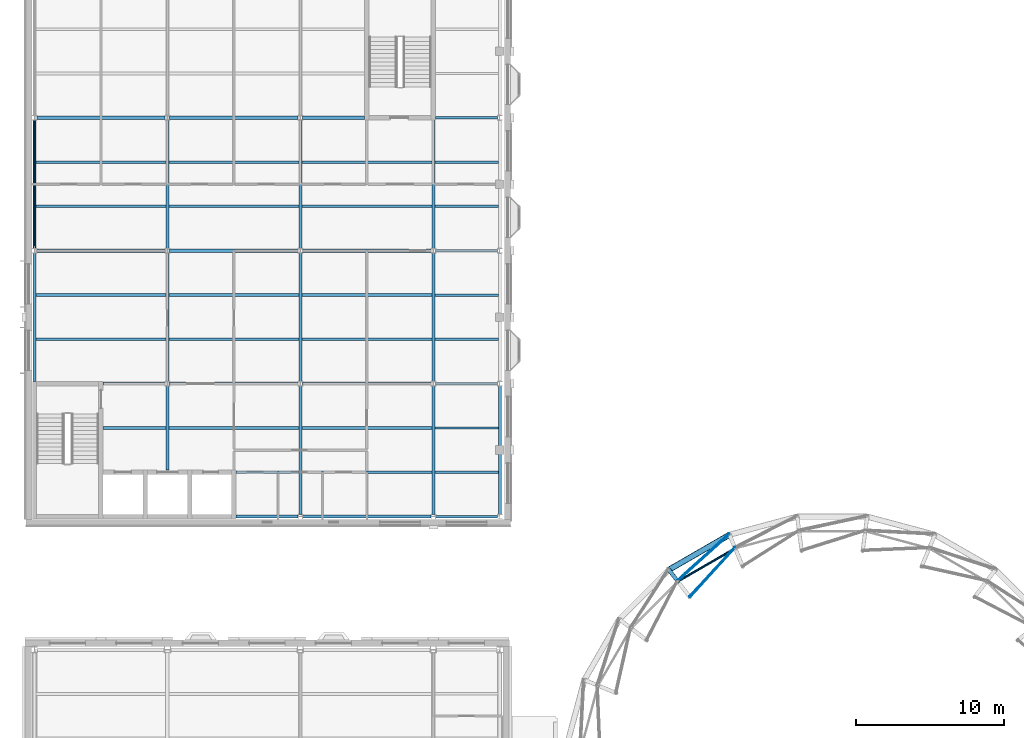
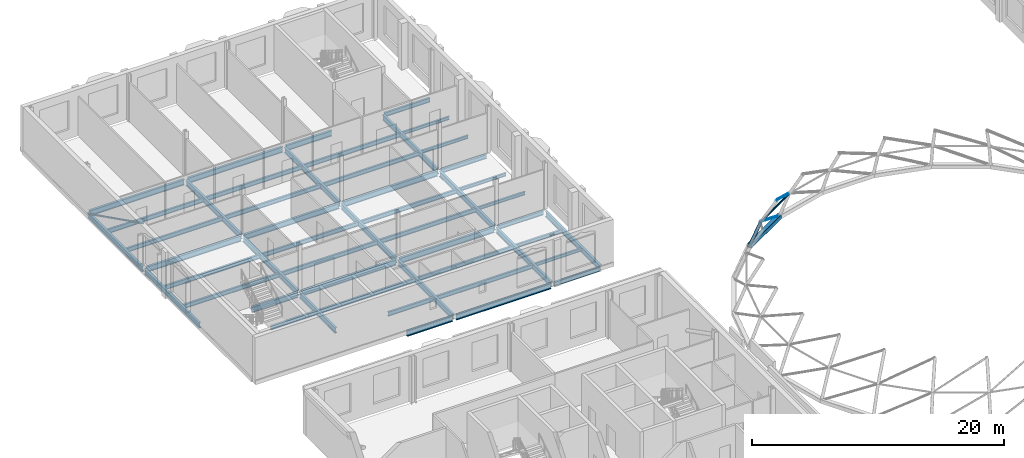
# One storey, part 9 of 59: 52 beams, 6 members.
"""IFC4 building model written with IfcOpenShell, lengths in metres."""

from ifc_helpers import new_model, si_unit, direction, frame, origin, origin_2d, place, context, subcontext, project, spatial, rectangle, hollow_rectangle, circle, hollow_circle, i_section, extrude, material, material_profile, profile_set, type_object, element, save


model = new_model("IFC4")

# Units and contexts
model_context = context("Model", 3, precision=1e-05, world=origin(), true_north=direction((0.0, 1.0)))
body_context = subcontext(model_context, "Body", "Model", "MODEL_VIEW")
ifc_project = project(units=[si_unit("LENGTHUNIT", "METRE"), si_unit("AREAUNIT", "SQUARE_METRE"), si_unit("VOLUMEUNIT", "CUBIC_METRE"), si_unit("PLANEANGLEUNIT", "RADIAN"), si_unit("MASSUNIT", "GRAM", prefix="KILO")], contexts=[model_context])

# Site, building, storey
site_placement = place(None, origin())
site = spatial("IfcSite", under=ifc_project, at=site_placement, CompositionType="ELEMENT")
building_placement = place(site_placement, origin())
building = spatial("IfcBuilding", under=site, at=building_placement, Name="Hortulan Conservatory and Botanical Research Centre", CompositionType="ELEMENT")
storey_placement = place(building_placement, frame((0.0, 0.0, 10.5)))
storey = spatial("IfcBuildingStorey", under=building, at=storey_placement, Name="L02", CompositionType="ELEMENT", Elevation=10.5)

# Members
ifc_material_1 = material(Name="Steel Grade C350L0 (350 MPa, AS/NZS 1163)", Category="steel")
ifc_material_profile_1 = material_profile(ifc_material_1, hollow_circle(Radius=0.084228515625, WallThickness=0.00634765625, at=origin_2d()), Name="168.3x6.4CHS")
ifc_profile_set_1 = profile_set([ifc_material_profile_1], Name="Steel Grade C350L0 (350 MPa, AS/NZS 1163)")
member_type_1 = type_object("IfcMemberType", Name="Brace 168.3x6.4CHS", PredefinedType="BRACE", material=ifc_profile_set_1)
member_1_placement = place(storey_placement, frame((0.0, 62.842529296875, -0.315185546875), z_axis=(0.0, -0.894427191, 0.4472135955), x_axis=(1.0, 0.0, 0.0)))
element("IfcMember", 1, at=member_1_placement, inside=storey, type_object=member_type_1, Name="168.3x6.4CHS brace", PredefinedType="BRACE", context=body_context, shape_type="SweptSolid", body=[
    extrude(hollow_circle(Radius=0.084228515625, WallThickness=0.00634765625, at=origin_2d()), origin(), (0.0, 0.0, 1.0), 9.710205078125),
])
ifc_material_2 = material(Name="Steel Grade 300PLUS (AS/NZS 3679.1, 280 MPa minimum yield)", Category="steel")
ifc_material_profile_2 = material_profile(ifc_material_2, circle(Radius=0.011962890625, at=origin_2d()), Name="24 dia rod")
ifc_profile_set_2 = profile_set([ifc_material_profile_2], Name="Steel Grade 300PLUS (AS/NZS 3679.1, 280 MPa minimum yield)")
member_type_2 = type_object("IfcMemberType", Name="Dome Diagonal Rod 24 dia rod", PredefinedType="BRACE", material=ifc_profile_set_2)
member_2_placement = place(storey_placement, frame((47.05224609375, 34.773193359375, 0.0), z_axis=(-0.650599359727, -0.586755497323, 0.482118719284), x_axis=(0.669731250742, -0.742603562999, 0.0)))
element("IfcMember", 2, at=member_2_placement, inside=storey, type_object=member_type_2, Name="Dome diagonal rod row 1 panel 08", PredefinedType="BRACE", context=body_context, shape_type="SweptSolid", body=[
    extrude(circle(Radius=0.011962890625, at=origin_2d()), origin(), (0.0, 0.0, 1.0), 5.38037109375),
])
member_3_placement = place(storey_placement, frame((47.431884765625, 33.8564453125, 2.593994140625), z_axis=(-0.596256296153, -0.648583748703, 0.47309359562), x_axis=(0.736180234782, -0.676785536131, 0.0)))
element("IfcMember", 3, at=member_3_placement, inside=storey, type_object=member_type_2, Name="Dome diagonal rod row 2 panel 08", PredefinedType="BRACE", context=body_context, shape_type="SweptSolid", body=[
    extrude(circle(Radius=0.011962890625, at=origin_2d()), origin(), (0.0, 0.0, 1.0), 5.1181640625),
])
ifc_material_3 = material(Name="Bronze-finished aluminium", Category="aluminium")
ifc_material_profile_3 = material_profile(ifc_material_3, rectangle(XDim=0.050048828125, YDim=0.050048828125, at=origin_2d()), Name="Square bar 50x50")
ifc_profile_set_3 = profile_set([ifc_material_profile_3], Name="Bronze-finished aluminium")
member_type_3 = type_object("IfcMemberType", Name="Dome Glazing Bar 50x50", PredefinedType="MEMBER", material=ifc_profile_set_3)
member_4_placement = place(storey_placement, frame((47.021484375, 34.847900390625, 0.024169921875), z_axis=(-0.650586397389, -0.586756472413, 0.482135024256), x_axis=(0.669739222965, -0.742596373019, 0.0)))
element("IfcMember", 4, at=member_4_placement, inside=storey, type_object=member_type_3, Name="Dome glazing bar row 1 panel 08", PredefinedType="MEMBER", context=body_context, shape_type="SweptSolid", body=[
    extrude(rectangle(XDim=0.050048828125, YDim=0.050048828125, at=origin_2d()), origin(), (0.0, 0.0, 1.0), 5.404541015625),
])
member_5_placement = place(storey_placement, frame((47.404296875, 33.923583984375, 2.628173828125), z_axis=(-0.596294600473, -0.648590311412, 0.473036317199), x_axis=(0.736161984981, -0.676805386998, 0.0)))
element("IfcMember", 5, at=member_5_placement, inside=storey, type_object=member_type_3, Name="Dome glazing bar row 2 panel 08", PredefinedType="MEMBER", context=body_context, shape_type="SweptSolid", body=[
    extrude(rectangle(XDim=0.050048828125, YDim=0.050048828125, at=origin_2d()), origin(), (0.0, 0.0, 1.0), 5.139892578125),
])

# Beam
ifc_material_profile_4 = material_profile(ifc_material_1, hollow_circle(Radius=0.136474609375, WallThickness=0.00927734375, at=origin_2d()), Name="273.1x9.3CHS")
ifc_profile_set_4 = profile_set([ifc_material_profile_4], Name="Steel Grade C350L0 (350 MPa, AS/NZS 1163)")
beam_type_1 = type_object("IfcBeamType", Name="Dome Rib 273.1x9.3 CHS", PredefinedType="BEAM", material=ifc_profile_set_4)
beam_1_placement = place(storey_placement, frame((42.94775390625, 32.403564453125, 0.0), z_axis=(0.217476605131, -0.283493149372, 0.933989058009), x_axis=(0.793428136161, 0.608663940733, 0.0)))
element("IfcBeam", 6, at=beam_1_placement, inside=storey, type_object=beam_type_1, Name="Dome rib 09 segment 1", PredefinedType="BEAM", context=body_context, shape_type="SweptSolid", body=[
    extrude(hollow_circle(Radius=0.136474609375, WallThickness=0.00927734375, at=origin_2d()), origin(), (0.0, 0.0, 1.0), 2.77734375),
])

# Member
ifc_material_profile_5 = material_profile(ifc_material_1, hollow_circle(Radius=0.084228515625, WallThickness=0.00634765625, at=origin_2d()), Name="168.3x6.4CHS")
ifc_profile_set_5 = profile_set([ifc_material_profile_5], Name="Steel Grade C350L0 (350 MPa, AS/NZS 1163)")
member_type_4 = type_object("IfcMemberType", Name="Dome Ring 168.3x6.4 CHS", PredefinedType="PURLIN", material=ifc_profile_set_5)
member_6_placement = place(storey_placement, frame((47.431884765625, 33.8564453125, 2.593994140625), z_axis=(-0.866021341331, -0.500007036309, 0.0), x_axis=(0.500007036309, -0.866021341331, 0.0)))
element("IfcMember", 7, at=member_6_placement, inside=storey, type_object=member_type_4, Name="Dome ring 1 chord 08", PredefinedType="PURLIN", context=body_context, shape_type="SweptSolid", body=[
    extrude(hollow_circle(Radius=0.084228515625, WallThickness=0.00634765625, at=origin_2d()), origin(), (0.0, 0.0, 1.0), 4.48046875),
])

# Beams
ifc_material_4 = material(Name="Steel Grade C450L0 (450 MPa, AS/NZS 1163)", Category="steel")
ifc_material_profile_6 = material_profile(ifc_material_4, hollow_rectangle(XDim=0.39990234375, YDim=0.39990234375, WallThickness=0.01611328125, InnerFilletRadius=0.02392578125, OuterFilletRadius=0.0400390625, at=origin_2d()), Name="400x400x16SHS")
ifc_profile_set_6 = profile_set([ifc_material_profile_6], Name="Steel Grade C450L0 (450 MPa, AS/NZS 1163)")
beam_type_2 = type_object("IfcBeamType", Name="Dome Ring Beam 400x400x16 SHS", PredefinedType="BEAM", material=ifc_profile_set_6)
beam_2_placement = place(storey_placement, frame((47.05224609375, 34.773193359375, 0.0), z_axis=(-0.866034609785, -0.4999840544, 0.0), x_axis=(0.4999840544, -0.866034609785, 0.0)))
element("IfcBeam", 8, at=beam_2_placement, inside=storey, type_object=beam_type_2, Name="Dome ring beam chord 08", PredefinedType="BEAM", context=body_context, shape_type="SweptSolid", body=[
    extrude(hollow_rectangle(XDim=0.39990234375, YDim=0.39990234375, WallThickness=0.01611328125, InnerFilletRadius=0.02392578125, OuterFilletRadius=0.0400390625, at=origin_2d()), origin(), (0.0, 0.0, 1.0), 4.739501953125),
])
ifc_material_profile_7 = material_profile(ifc_material_2, i_section(OverallWidth=0.177978515625, OverallDepth=0.403076171875, WebThickness=0.007568359375, FlangeThickness=0.010986328125, FilletRadius=0.011474609375, at=origin_2d()), Name="410UB53.7")
ifc_profile_set_7 = profile_set([ifc_material_profile_7], Name="Steel Grade 300PLUS (AS/NZS 3679.1, 280 MPa minimum yield)")
beam_type_3 = type_object("IfcBeamType", Name="Primary Beam 410UB53.7", PredefinedType="BEAM", material=ifc_profile_set_7)
beam_3_placement = place(storey_placement, frame((27.160400390625, 36.0, -0.33154296875), z_axis=(1.0, 0.0, 0.0), x_axis=(0.0, 1.0, 0.0)))
element("IfcBeam", 9, at=beam_3_placement, inside=storey, type_object=beam_type_3, Name="410UB53.7 girder", PredefinedType="BEAM", context=body_context, shape_type="SweptSolid", body=[
    extrude(i_section(OverallWidth=0.177978515625, OverallDepth=0.403076171875, WebThickness=0.007568359375, FlangeThickness=0.010986328125, FilletRadius=0.011474609375, at=origin_2d()), origin(), (0.0, 0.0, 1.0), 4.18505859375),
])
for number, where, z_axis, x_axis, name in (
    (10, (27.154541015625, 45.0, -0.33154296875), (1.0, 0.0, 0.0), (0.0, 1.0, 0.0), "410UB53.7 girder"),
    (11, (27.154541015625, 54.0, -0.33154296875), (1.0, 0.0, 0.0), (0.0, 1.0, 0.0), "410UB53.7 girder"),
):
    element("IfcBeam", number, at=place(storey_placement, frame(where, z_axis=z_axis, x_axis=x_axis)), inside=storey, type_object=beam_type_3, Name=name, PredefinedType="BEAM", context=body_context, shape_type="SweptSolid", body=[
        extrude(i_section(OverallWidth=0.177978515625, OverallDepth=0.403076171875, WebThickness=0.007568359375, FlangeThickness=0.010986328125, FilletRadius=0.011474609375, at=origin_2d()), origin(), (0.0, 0.0, 1.0), 4.19091796875),
    ])
beam_4_placement = place(storey_placement, frame((27.14990234375, 63.0, -0.33154296875), z_axis=(1.0, 0.0, 0.0), x_axis=(0.0, 1.0, 0.0)))
element("IfcBeam", 12, at=beam_4_placement, inside=storey, type_object=beam_type_3, Name="410UB53.7 girder", PredefinedType="BEAM", context=body_context, shape_type="SweptSolid", body=[
    extrude(i_section(OverallWidth=0.177978515625, OverallDepth=0.403076171875, WebThickness=0.007568359375, FlangeThickness=0.010986328125, FilletRadius=0.011474609375, at=origin_2d()), origin(), (0.0, 0.0, 1.0), 4.195556640625),
])
ifc_material_profile_8 = material_profile(ifc_material_2, i_section(OverallWidth=0.208984375, OverallDepth=0.528076171875, WebThickness=0.009521484375, FlangeThickness=0.01318359375, FilletRadius=0.013916015625, at=origin_2d()), Name="530UB82.0")
ifc_profile_set_8 = profile_set([ifc_material_profile_8], Name="Steel Grade 300PLUS (AS/NZS 3679.1, 280 MPa minimum yield)")
beam_type_4 = type_object("IfcBeamType", Name="Primary Beam 530UB82.0", PredefinedType="BEAM", material=ifc_profile_set_8)
beam_5_placement = place(storey_placement, frame((0.0, 45.14990234375, -0.39404296875), z_axis=(0.0, 1.0, 0.0), x_axis=(-1.0, 0.0, 0.0)))
element("IfcBeam", 13, at=beam_5_placement, inside=storey, type_object=beam_type_4, Name="530UB82.0 girder", PredefinedType="BEAM", context=body_context, shape_type="SweptSolid", body=[
    extrude(i_section(OverallWidth=0.208984375, OverallDepth=0.528076171875, WebThickness=0.009521484375, FlangeThickness=0.01318359375, FilletRadius=0.013916015625, at=origin_2d()), origin(), (0.0, 0.0, 1.0), 8.689697265625),
])
beam_6_placement = place(storey_placement, frame((0.0, 54.160400390625, -0.39404296875), z_axis=(0.0, 1.0, 0.0), x_axis=(-1.0, 0.0, 0.0)))
element("IfcBeam", 14, at=beam_6_placement, inside=storey, type_object=beam_type_4, Name="530UB82.0 girder", PredefinedType="BEAM", context=body_context, shape_type="SweptSolid", body=[
    extrude(i_section(OverallWidth=0.208984375, OverallDepth=0.528076171875, WebThickness=0.009521484375, FlangeThickness=0.01318359375, FilletRadius=0.013916015625, at=origin_2d()), origin(), (0.0, 0.0, 1.0), 8.67919921875),
])
beam_7_placement = place(storey_placement, frame((13.64990234375, 36.0, -0.39404296875), z_axis=(1.0, 0.0, 0.0), x_axis=(0.0, 1.0, 0.0)))
element("IfcBeam", 15, at=beam_7_placement, inside=storey, type_object=beam_type_4, Name="530UB82.0 girder", PredefinedType="BEAM", context=body_context, shape_type="SweptSolid", body=[
    extrude(i_section(OverallWidth=0.208984375, OverallDepth=0.528076171875, WebThickness=0.009521484375, FlangeThickness=0.01318359375, FilletRadius=0.013916015625, at=origin_2d()), origin(), (0.0, 0.0, 1.0), 4.189697265625),
])
for number, where, z_axis, x_axis, name in (
    (16, (18.160400390625, 36.0, -0.39404296875), (1.0, 0.0, 0.0), (0.0, 1.0, 0.0), "530UB82.0 girder"),
    (17, (31.5, 36.160400390625, -0.39404296875), (0.0, 1.0, 0.0), (-1.0, 0.0, 0.0), "530UB82.0 girder"),
):
    element("IfcBeam", number, at=place(storey_placement, frame(where, z_axis=z_axis, x_axis=x_axis)), inside=storey, type_object=beam_type_4, Name=name, PredefinedType="BEAM", context=body_context, shape_type="SweptSolid", body=[
        extrude(i_section(OverallWidth=0.208984375, OverallDepth=0.528076171875, WebThickness=0.009521484375, FlangeThickness=0.01318359375, FilletRadius=0.013916015625, at=origin_2d()), origin(), (0.0, 0.0, 1.0), 8.67919921875),
    ])
ifc_material_profile_9 = material_profile(ifc_material_2, i_section(OverallWidth=0.208984375, OverallDepth=0.532958984375, WebThickness=0.01025390625, FlangeThickness=0.015625, FilletRadius=0.013916015625, at=origin_2d()), Name="530UB92.4")
ifc_profile_set_9 = profile_set([ifc_material_profile_9], Name="Steel Grade 300PLUS (AS/NZS 3679.1, 280 MPa minimum yield)")
beam_type_5 = type_object("IfcBeamType", Name="Primary Beam 530UB92.4", PredefinedType="BEAM", material=ifc_profile_set_9)
for number, where, z_axis, x_axis, name in (
    (18, (0.154541015625, 54.0, -0.396484375), (1.0, 0.0, 0.0), (0.0, 1.0, 0.0), "530UB92.4 girder"),
    (19, (0.154541015625, 63.0, -0.396484375), (1.0, 0.0, 0.0), (0.0, 1.0, 0.0), "530UB92.4 girder"),
):
    element("IfcBeam", number, at=place(storey_placement, frame(where, z_axis=z_axis, x_axis=x_axis)), inside=storey, type_object=beam_type_5, Name=name, PredefinedType="BEAM", context=body_context, shape_type="SweptSolid", body=[
        extrude(i_section(OverallWidth=0.208984375, OverallDepth=0.532958984375, WebThickness=0.01025390625, FlangeThickness=0.015625, FilletRadius=0.013916015625, at=origin_2d()), origin(), (0.0, 0.0, 1.0), 8.69091796875),
    ])
beam_8_placement = place(storey_placement, frame((4.64990234375, 45.0, -0.396484375), z_axis=(1.0, 0.0, 0.0), x_axis=(0.0, 1.0, 0.0)))
element("IfcBeam", 20, at=beam_8_placement, inside=storey, type_object=beam_type_5, Name="530UB92.4 girder", PredefinedType="BEAM", context=body_context, shape_type="SweptSolid", body=[
    extrude(i_section(OverallWidth=0.208984375, OverallDepth=0.532958984375, WebThickness=0.01025390625, FlangeThickness=0.015625, FilletRadius=0.013916015625, at=origin_2d()), origin(), (0.0, 0.0, 1.0), 4.195556640625),
])
beam_9_placement = place(storey_placement, frame((9.0, 39.14990234375, -0.396484375), z_axis=(0.0, 1.0, 0.0), x_axis=(-1.0, 0.0, 0.0)))
element("IfcBeam", 21, at=beam_9_placement, inside=storey, type_object=beam_type_5, Name="530UB92.4 girder", PredefinedType="BEAM", context=body_context, shape_type="SweptSolid", body=[
    extrude(i_section(OverallWidth=0.208984375, OverallDepth=0.532958984375, WebThickness=0.01025390625, FlangeThickness=0.015625, FilletRadius=0.013916015625, at=origin_2d()), origin(), (0.0, 0.0, 1.0), 5.689697265625),
])
beam_10_placement = place(storey_placement, frame((9.0, 45.160400390625, -0.396484375), z_axis=(0.0, 1.0, 0.0), x_axis=(-1.0, 0.0, 0.0)))
element("IfcBeam", 22, at=beam_10_placement, inside=storey, type_object=beam_type_5, Name="530UB92.4 girder", PredefinedType="BEAM", context=body_context, shape_type="SweptSolid", body=[
    extrude(i_section(OverallWidth=0.208984375, OverallDepth=0.532958984375, WebThickness=0.01025390625, FlangeThickness=0.015625, FilletRadius=0.013916015625, at=origin_2d()), origin(), (0.0, 0.0, 1.0), 8.67919921875),
])
beam_11_placement = place(storey_placement, frame((9.154541015625, 45.0, -0.396484375), z_axis=(1.0, 0.0, 0.0), x_axis=(0.0, 1.0, 0.0)))
element("IfcBeam", 23, at=beam_11_placement, inside=storey, type_object=beam_type_5, Name="530UB92.4 girder", PredefinedType="BEAM", context=body_context, shape_type="SweptSolid", body=[
    extrude(i_section(OverallWidth=0.208984375, OverallDepth=0.532958984375, WebThickness=0.01025390625, FlangeThickness=0.015625, FilletRadius=0.013916015625, at=origin_2d()), origin(), (0.0, 0.0, 1.0), 8.69091796875),
])
beam_12_placement = place(storey_placement, frame((9.0, 54.160400390625, -0.396484375), z_axis=(0.0, 1.0, 0.0), x_axis=(-1.0, 0.0, 0.0)))
element("IfcBeam", 24, at=beam_12_placement, inside=storey, type_object=beam_type_5, Name="530UB92.4 girder", PredefinedType="BEAM", context=body_context, shape_type="SweptSolid", body=[
    extrude(i_section(OverallWidth=0.208984375, OverallDepth=0.532958984375, WebThickness=0.01025390625, FlangeThickness=0.015625, FilletRadius=0.013916015625, at=origin_2d()), origin(), (0.0, 0.0, 1.0), 8.67919921875),
])
for number, where, z_axis, x_axis, name in (
    (25, (9.154541015625, 54.0, -0.396484375), (1.0, 0.0, 0.0), (0.0, 1.0, 0.0), "530UB92.4 girder"),
    (26, (9.154541015625, 63.0, -0.396484375), (1.0, 0.0, 0.0), (0.0, 1.0, 0.0), "530UB92.4 girder"),
):
    element("IfcBeam", number, at=place(storey_placement, frame(where, z_axis=z_axis, x_axis=x_axis)), inside=storey, type_object=beam_type_5, Name=name, PredefinedType="BEAM", context=body_context, shape_type="SweptSolid", body=[
        extrude(i_section(OverallWidth=0.208984375, OverallDepth=0.532958984375, WebThickness=0.01025390625, FlangeThickness=0.015625, FilletRadius=0.013916015625, at=origin_2d()), origin(), (0.0, 0.0, 1.0), 8.69091796875),
    ])
beam_13_placement = place(storey_placement, frame((18.0, 36.154541015625, -0.396484375), z_axis=(0.0, 1.0, 0.0), x_axis=(-1.0, 0.0, 0.0)))
element("IfcBeam", 27, at=beam_13_placement, inside=storey, type_object=beam_type_5, Name="530UB92.4 girder", PredefinedType="BEAM", context=body_context, shape_type="SweptSolid", body=[
    extrude(i_section(OverallWidth=0.208984375, OverallDepth=0.532958984375, WebThickness=0.01025390625, FlangeThickness=0.015625, FilletRadius=0.013916015625, at=origin_2d()), origin(), (0.0, 0.0, 1.0), 8.68505859375),
])
beam_14_placement = place(storey_placement, frame((18.0, 45.160400390625, -0.396484375), z_axis=(0.0, 1.0, 0.0), x_axis=(-1.0, 0.0, 0.0)))
element("IfcBeam", 28, at=beam_14_placement, inside=storey, type_object=beam_type_5, Name="530UB92.4 girder", PredefinedType="BEAM", context=body_context, shape_type="SweptSolid", body=[
    extrude(i_section(OverallWidth=0.208984375, OverallDepth=0.532958984375, WebThickness=0.01025390625, FlangeThickness=0.015625, FilletRadius=0.013916015625, at=origin_2d()), origin(), (0.0, 0.0, 1.0), 8.67919921875),
])
beam_15_placement = place(storey_placement, frame((18.154541015625, 45.0, -0.396484375), z_axis=(1.0, 0.0, 0.0), x_axis=(0.0, 1.0, 0.0)))
element("IfcBeam", 29, at=beam_15_placement, inside=storey, type_object=beam_type_5, Name="530UB92.4 girder", PredefinedType="BEAM", context=body_context, shape_type="SweptSolid", body=[
    extrude(i_section(OverallWidth=0.208984375, OverallDepth=0.532958984375, WebThickness=0.01025390625, FlangeThickness=0.015625, FilletRadius=0.013916015625, at=origin_2d()), origin(), (0.0, 0.0, 1.0), 8.69091796875),
])
beam_16_placement = place(storey_placement, frame((18.0, 54.160400390625, -0.396484375), z_axis=(0.0, 1.0, 0.0), x_axis=(-1.0, 0.0, 0.0)))
element("IfcBeam", 30, at=beam_16_placement, inside=storey, type_object=beam_type_5, Name="530UB92.4 girder", PredefinedType="BEAM", context=body_context, shape_type="SweptSolid", body=[
    extrude(i_section(OverallWidth=0.208984375, OverallDepth=0.532958984375, WebThickness=0.01025390625, FlangeThickness=0.015625, FilletRadius=0.013916015625, at=origin_2d()), origin(), (0.0, 0.0, 1.0), 8.67919921875),
])
beam_17_placement = place(storey_placement, frame((18.154541015625, 54.0, -0.396484375), z_axis=(1.0, 0.0, 0.0), x_axis=(0.0, 1.0, 0.0)))
element("IfcBeam", 31, at=beam_17_placement, inside=storey, type_object=beam_type_5, Name="530UB92.4 girder", PredefinedType="BEAM", context=body_context, shape_type="SweptSolid", body=[
    extrude(i_section(OverallWidth=0.208984375, OverallDepth=0.532958984375, WebThickness=0.01025390625, FlangeThickness=0.015625, FilletRadius=0.013916015625, at=origin_2d()), origin(), (0.0, 0.0, 1.0), 8.69091796875),
])
beam_18_placement = place(storey_placement, frame((18.154541015625, 63.0, -0.396484375), z_axis=(1.0, 0.0, 0.0), x_axis=(0.0, 1.0, 0.0)))
element("IfcBeam", 32, at=beam_18_placement, inside=storey, type_object=beam_type_5, Name="530UB92.4 girder", PredefinedType="BEAM", context=body_context, shape_type="SweptSolid", body=[
    extrude(i_section(OverallWidth=0.208984375, OverallDepth=0.532958984375, WebThickness=0.01025390625, FlangeThickness=0.015625, FilletRadius=0.013916015625, at=origin_2d()), origin(), (0.0, 0.0, 1.0), 4.195556640625),
])
beam_19_placement = place(storey_placement, frame((27.0, 36.154541015625, -0.396484375), z_axis=(0.0, 1.0, 0.0), x_axis=(-1.0, 0.0, 0.0)))
element("IfcBeam", 33, at=beam_19_placement, inside=storey, type_object=beam_type_5, Name="530UB92.4 girder", PredefinedType="BEAM", context=body_context, shape_type="SweptSolid", body=[
    extrude(i_section(OverallWidth=0.208984375, OverallDepth=0.532958984375, WebThickness=0.01025390625, FlangeThickness=0.015625, FilletRadius=0.013916015625, at=origin_2d()), origin(), (0.0, 0.0, 1.0), 8.68505859375),
])
beam_20_placement = place(storey_placement, frame((27.0, 45.160400390625, -0.396484375), z_axis=(0.0, 1.0, 0.0), x_axis=(-1.0, 0.0, 0.0)))
element("IfcBeam", 34, at=beam_20_placement, inside=storey, type_object=beam_type_5, Name="530UB92.4 girder", PredefinedType="BEAM", context=body_context, shape_type="SweptSolid", body=[
    extrude(i_section(OverallWidth=0.208984375, OverallDepth=0.532958984375, WebThickness=0.01025390625, FlangeThickness=0.015625, FilletRadius=0.013916015625, at=origin_2d()), origin(), (0.0, 0.0, 1.0), 8.67919921875),
])
beam_21_placement = place(storey_placement, frame((27.0, 54.160400390625, -0.396484375), z_axis=(0.0, 1.0, 0.0), x_axis=(-1.0, 0.0, 0.0)))
element("IfcBeam", 35, at=beam_21_placement, inside=storey, type_object=beam_type_5, Name="530UB92.4 girder", PredefinedType="BEAM", context=body_context, shape_type="SweptSolid", body=[
    extrude(i_section(OverallWidth=0.208984375, OverallDepth=0.532958984375, WebThickness=0.01025390625, FlangeThickness=0.015625, FilletRadius=0.013916015625, at=origin_2d()), origin(), (0.0, 0.0, 1.0), 8.689697265625),
])
ifc_material_profile_10 = material_profile(ifc_material_2, i_section(OverallWidth=0.1650390625, OverallDepth=0.303955078125, WebThickness=0.006103515625, FlangeThickness=0.01025390625, FilletRadius=0.011474609375, at=origin_2d()), Name="310UB40.4")
ifc_profile_set_10 = profile_set([ifc_material_profile_10], Name="Steel Grade 300PLUS (AS/NZS 3679.1, 280 MPa minimum yield)")
beam_type_6 = type_object("IfcBeamType", Name="Secondary Beam 310UB40.4", PredefinedType="JOIST", material=ifc_profile_set_10)
for number, where, z_axis, x_axis, name in (
    (36, (27.1044921875, 39.0, -0.281982421875), (1.0, 0.0, 0.0), (0.0, 1.0, 0.0), "310UB40.4 secondary beam"),
    (37, (27.1044921875, 42.0, -0.281982421875), (1.0, 0.0, 0.0), (0.0, 1.0, 0.0), "310UB40.4 secondary beam"),
    (38, (27.1044921875, 48.0, -0.281982421875), (1.0, 0.0, 0.0), (0.0, 1.0, 0.0), "310UB40.4 secondary beam"),
    (39, (27.1044921875, 51.0, -0.281982421875), (1.0, 0.0, 0.0), (0.0, 1.0, 0.0), "310UB40.4 secondary beam"),
    (40, (27.1044921875, 57.0, -0.281982421875), (1.0, 0.0, 0.0), (0.0, 1.0, 0.0), "310UB40.4 secondary beam"),
    (41, (27.1044921875, 60.0, -0.281982421875), (1.0, 0.0, 0.0), (0.0, 1.0, 0.0), "310UB40.4 secondary beam"),
):
    element("IfcBeam", number, at=place(storey_placement, frame(where, z_axis=z_axis, x_axis=x_axis)), inside=storey, type_object=beam_type_6, Name=name, PredefinedType="JOIST", context=body_context, shape_type="SweptSolid", body=[
        extrude(i_section(OverallWidth=0.1650390625, OverallDepth=0.303955078125, WebThickness=0.006103515625, FlangeThickness=0.01025390625, FilletRadius=0.011474609375, at=origin_2d()), origin(), (0.0, 0.0, 1.0), 4.291015625),
    ])
ifc_material_profile_11 = material_profile(ifc_material_2, i_section(OverallWidth=0.177978515625, OverallDepth=0.406005859375, WebThickness=0.0078125, FlangeThickness=0.0126953125, FilletRadius=0.011474609375, at=origin_2d()), Name="410UB59.7")
ifc_profile_set_11 = profile_set([ifc_material_profile_11], Name="Steel Grade 300PLUS (AS/NZS 3679.1, 280 MPa minimum yield)")
beam_type_7 = type_object("IfcBeamType", Name="Secondary Beam 410UB59.7", PredefinedType="JOIST", material=ifc_profile_set_11)
beam_22_placement = place(storey_placement, frame((4.64990234375, 42.0, -0.3330078125), z_axis=(1.0, 0.0, 0.0), x_axis=(0.0, 1.0, 0.0)))
element("IfcBeam", 42, at=beam_22_placement, inside=storey, type_object=beam_type_7, Name="410UB59.7 secondary beam", PredefinedType="JOIST", context=body_context, shape_type="SweptSolid", body=[
    extrude(i_section(OverallWidth=0.177978515625, OverallDepth=0.406005859375, WebThickness=0.0078125, FlangeThickness=0.0126953125, FilletRadius=0.011474609375, at=origin_2d()), origin(), (0.0, 0.0, 1.0), 4.24560546875),
])
for number, where, z_axis, x_axis, name in (
    (43, (0.1044921875, 48.0, -0.3330078125), (1.0, 0.0, 0.0), (0.0, 1.0, 0.0), "410UB59.7 secondary beam"),
    (44, (0.1044921875, 51.0, -0.3330078125), (1.0, 0.0, 0.0), (0.0, 1.0, 0.0), "410UB59.7 secondary beam"),
    (45, (0.1044921875, 57.0, -0.3330078125), (1.0, 0.0, 0.0), (0.0, 1.0, 0.0), "410UB59.7 secondary beam"),
    (46, (0.1044921875, 60.0, -0.3330078125), (1.0, 0.0, 0.0), (0.0, 1.0, 0.0), "410UB59.7 secondary beam"),
):
    element("IfcBeam", number, at=place(storey_placement, frame(where, z_axis=z_axis, x_axis=x_axis)), inside=storey, type_object=beam_type_7, Name=name, PredefinedType="JOIST", context=body_context, shape_type="SweptSolid", body=[
        extrude(i_section(OverallWidth=0.177978515625, OverallDepth=0.406005859375, WebThickness=0.0078125, FlangeThickness=0.0126953125, FilletRadius=0.011474609375, at=origin_2d()), origin(), (0.0, 0.0, 1.0), 8.791015625),
    ])
beam_23_placement = place(storey_placement, frame((13.64990234375, 39.0, -0.3330078125), z_axis=(1.0, 0.0, 0.0), x_axis=(0.0, 1.0, 0.0)))
element("IfcBeam", 47, at=beam_23_placement, inside=storey, type_object=beam_type_7, Name="410UB59.7 secondary beam", PredefinedType="JOIST", context=body_context, shape_type="SweptSolid", body=[
    extrude(i_section(OverallWidth=0.177978515625, OverallDepth=0.406005859375, WebThickness=0.0078125, FlangeThickness=0.0126953125, FilletRadius=0.011474609375, at=origin_2d()), origin(), (0.0, 0.0, 1.0), 4.24560546875),
])
for number, where, z_axis, x_axis, name in (
    (48, (9.1044921875, 42.0, -0.3330078125), (1.0, 0.0, 0.0), (0.0, 1.0, 0.0), "410UB59.7 secondary beam"),
    (49, (9.1044921875, 48.0, -0.3330078125), (1.0, 0.0, 0.0), (0.0, 1.0, 0.0), "410UB59.7 secondary beam"),
    (50, (9.1044921875, 51.0, -0.3330078125), (1.0, 0.0, 0.0), (0.0, 1.0, 0.0), "410UB59.7 secondary beam"),
    (51, (9.1044921875, 57.0, -0.3330078125), (1.0, 0.0, 0.0), (0.0, 1.0, 0.0), "410UB59.7 secondary beam"),
    (52, (9.1044921875, 60.0, -0.3330078125), (1.0, 0.0, 0.0), (0.0, 1.0, 0.0), "410UB59.7 secondary beam"),
    (53, (18.1044921875, 39.0, -0.3330078125), (1.0, 0.0, 0.0), (0.0, 1.0, 0.0), "410UB59.7 secondary beam"),
    (54, (18.1044921875, 42.0, -0.3330078125), (1.0, 0.0, 0.0), (0.0, 1.0, 0.0), "410UB59.7 secondary beam"),
    (55, (18.1044921875, 48.0, -0.3330078125), (1.0, 0.0, 0.0), (0.0, 1.0, 0.0), "410UB59.7 secondary beam"),
    (56, (18.1044921875, 51.0, -0.3330078125), (1.0, 0.0, 0.0), (0.0, 1.0, 0.0), "410UB59.7 secondary beam"),
    (57, (18.1044921875, 57.0, -0.3330078125), (1.0, 0.0, 0.0), (0.0, 1.0, 0.0), "410UB59.7 secondary beam"),
    (58, (18.1044921875, 60.0, -0.3330078125), (1.0, 0.0, 0.0), (0.0, 1.0, 0.0), "410UB59.7 secondary beam"),
):
    element("IfcBeam", number, at=place(storey_placement, frame(where, z_axis=z_axis, x_axis=x_axis)), inside=storey, type_object=beam_type_7, Name=name, PredefinedType="JOIST", context=body_context, shape_type="SweptSolid", body=[
        extrude(i_section(OverallWidth=0.177978515625, OverallDepth=0.406005859375, WebThickness=0.0078125, FlangeThickness=0.0126953125, FilletRadius=0.011474609375, at=origin_2d()), origin(), (0.0, 0.0, 1.0), 8.791015625),
    ])

save(model, "model.ifc")
